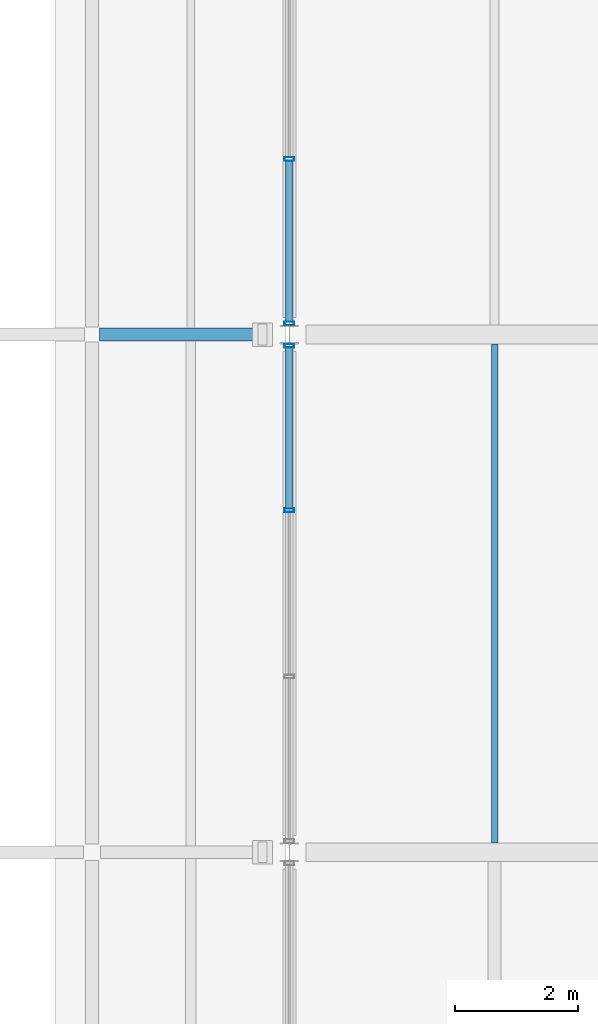
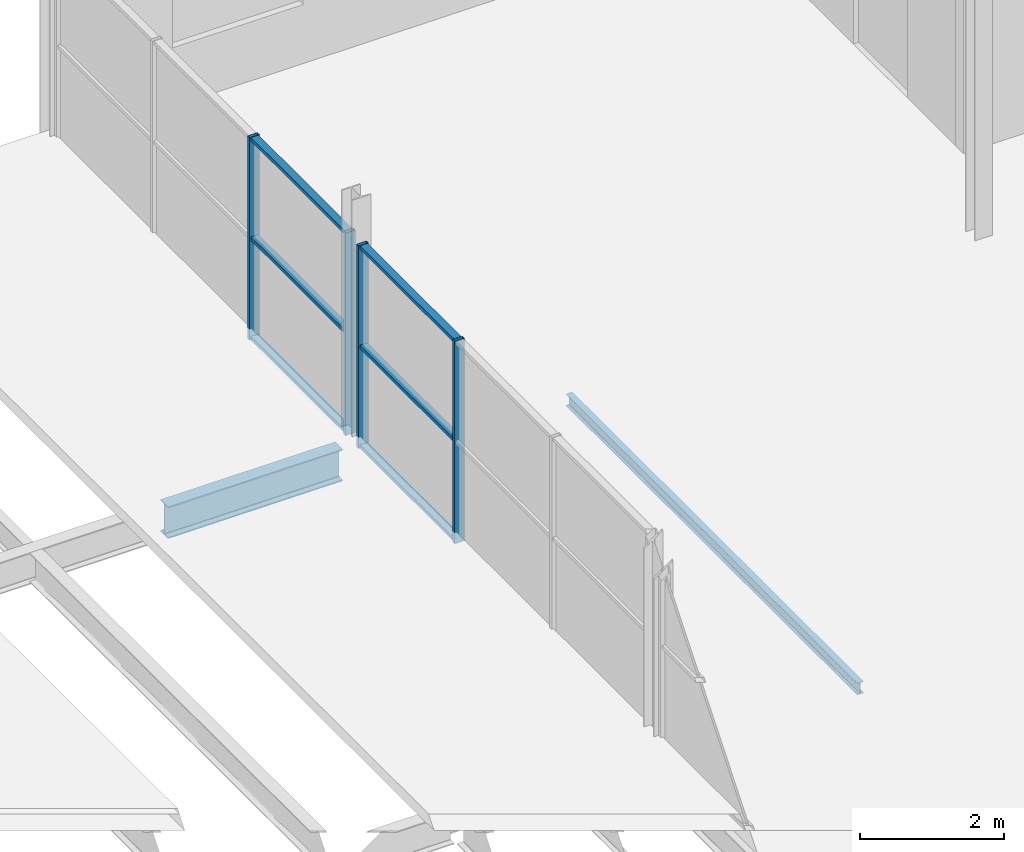
# One storey, part 113 of 161: 10 members, 2 beams, 2 elements without a shape of their own.
"""IFC4 building model written with IfcOpenShell, lengths in metres."""

from ifc_helpers import new_model, si_unit, direction, frame, origin, origin_2d, place, context, subcontext, project, spatial, hollow_rectangle, i_section, extrude, material, material_profile, profile_set, type_object, element, aggregate, save


model = new_model("IFC4")

# Units and contexts
model_context = context("Model", 3, precision=1e-05, world=origin(), true_north=direction((0.0, 1.0)))
body_context = subcontext(model_context, "Body", "Model", "MODEL_VIEW")
ifc_project = project(units=[si_unit("LENGTHUNIT", "METRE"), si_unit("AREAUNIT", "SQUARE_METRE"), si_unit("VOLUMEUNIT", "CUBIC_METRE"), si_unit("PLANEANGLEUNIT", "RADIAN"), si_unit("MASSUNIT", "GRAM", prefix="KILO"), si_unit("THERMODYNAMICTEMPERATUREUNIT", "KELVIN")], contexts=[model_context])

# Site, building, storey
site_placement = place(None, origin())
site = spatial("IfcSite", under=ifc_project, at=site_placement, CompositionType="ELEMENT")
building_placement = place(site_placement, origin())
building = spatial("IfcBuilding", under=site, at=building_placement, Name="Nduvali Passage Aquatics Centre", CompositionType="ELEMENT")
storey_placement = place(building_placement, frame((0.0, 0.0, 4.800048828125)))
storey = spatial("IfcBuildingStorey", under=building, at=storey_placement, Name="L01", CompositionType="ELEMENT", Elevation=4.800048828125)

# Curtain wall, members
ifc_material_1 = material(Name="Aluminium EN AW-6063 T6", Category="aluminium")
curtain_wall_type = type_object("IfcCurtainWallType", Name="ENV-CW-FOYR", PredefinedType="NOTDEFINED", material=ifc_material_1)
curtain_wall_1_placement = place(storey_placement, origin())
curtain_wall_1 = element("IfcCurtainWall", 1, at=curtain_wall_1_placement, inside=storey, type_object=curtain_wall_type, Name="L01 Passage Foyer Upper CW 078", PredefinedType="NOTDEFINED")
ifc_material_profile_1 = material_profile(ifc_material_1, hollow_rectangle(XDim=0.06005859375, YDim=0.159912109375, WallThickness=0.00390625, at=origin_2d()), Name="ALU MULLION 60x160x4")
ifc_profile_set_1 = profile_set([ifc_material_profile_1], Name="Aluminium EN AW-6063 T6")
member_type_1 = type_object("IfcMemberType", Name="ENV-MEM-MUL60", PredefinedType="MULLION", material=ifc_profile_set_1)
member_1_placement = place(storey_placement, frame((138.0, 81.14990234375, 0.0), z_axis=(0.0, 0.0, 1.0), x_axis=(0.0, 1.0, 0.0)))
member_1 = element("IfcMember", 2, at=member_1_placement, type_object=member_type_1, Name="Passage Foyer Upper CW Mullion 3", PredefinedType="MULLION", context=body_context, shape_type="SweptSolid", body=[
    extrude(hollow_rectangle(XDim=0.06005859375, YDim=0.159912109375, WallThickness=0.00390625, at=origin_2d()), origin(), (0.0, 0.0, 1.0), 3.436279296875),
])
member_2_placement = place(storey_placement, frame((138.0, 83.820068359375, 0.0), z_axis=(0.0, 0.0, 1.0), x_axis=(0.0, 1.0, 0.0)))
member_2 = element("IfcMember", 3, at=member_2_placement, type_object=member_type_1, Name="Passage Foyer Upper CW Mullion 4", PredefinedType="MULLION", context=body_context, shape_type="SweptSolid", body=[
    extrude(hollow_rectangle(XDim=0.06005859375, YDim=0.159912109375, WallThickness=0.00390625, at=origin_2d()), origin(), (0.0, 0.0, 1.0), 3.436279296875),
])

curtain_wall_2_placement = place(storey_placement, origin())
curtain_wall_2 = element("IfcCurtainWall", 4, at=curtain_wall_2_placement, inside=storey, type_object=curtain_wall_type, Name="L01 Passage Foyer End Upper CW 079", PredefinedType="NOTDEFINED")
member_3_placement = place(storey_placement, frame((138.0, 84.179931640625, 0.0), z_axis=(0.0, 0.0, 1.0), x_axis=(0.0, 1.0, 0.0)))
member_3 = element("IfcMember", 5, at=member_3_placement, type_object=member_type_1, Name="Passage Foyer End Upper CW Mullion 1", PredefinedType="MULLION", context=body_context, shape_type="SweptSolid", body=[
    extrude(hollow_rectangle(XDim=0.06005859375, YDim=0.159912109375, WallThickness=0.00390625, at=origin_2d()), origin(), (0.0, 0.0, 1.0), 3.436279296875),
])
member_4_placement = place(storey_placement, frame((138.0, 86.85009765625, 0.0), z_axis=(0.0, 0.0, 1.0), x_axis=(0.0, 1.0, 0.0)))
member_4 = element("IfcMember", 6, at=member_4_placement, type_object=member_type_1, Name="Passage Foyer End Upper CW Mullion 2", PredefinedType="MULLION", context=body_context, shape_type="SweptSolid", body=[
    extrude(hollow_rectangle(XDim=0.06005859375, YDim=0.159912109375, WallThickness=0.00390625, at=origin_2d()), origin(), (0.0, 0.0, 1.0), 3.436279296875),
])

# Member
ifc_material_profile_2 = material_profile(ifc_material_1, hollow_rectangle(XDim=0.1201171875, YDim=0.06005859375, WallThickness=0.00390625, at=origin_2d()), Name="ALU TRANSOM 120x60x4")
ifc_profile_set_2 = profile_set([ifc_material_profile_2], Name="Aluminium EN AW-6063 T6")
member_type_2 = type_object("IfcMemberType", Name="ENV-MEM-TRN60", PredefinedType="USERDEFINED", material=ifc_profile_set_2)
member_5_placement = place(storey_placement, frame((138.0, 81.179931640625, 0.030029296875), z_axis=(0.0, 1.0, 0.0), x_axis=(-1.0, 0.0, 0.0)))
member_5 = element("IfcMember", 7, at=member_5_placement, type_object=member_type_2, Name="Passage Foyer Upper CW Transom B3-R0", ObjectType="TRANSOM", PredefinedType="USERDEFINED", context=body_context, shape_type="SweptSolid", body=[
    extrude(hollow_rectangle(XDim=0.1201171875, YDim=0.06005859375, WallThickness=0.00390625, at=origin_2d()), origin(), (0.0, 0.0, 1.0), 2.610107421875),
])

member_6_placement = place(storey_placement, frame((138.0, 81.179931640625, 1.71826171875), z_axis=(0.0, 1.0, 0.0), x_axis=(-1.0, 0.0, 0.0)))
member_6 = element("IfcMember", 8, at=member_6_placement, type_object=member_type_2, Name="Passage Foyer Upper CW Transom B3-R1", ObjectType="TRANSOM", PredefinedType="USERDEFINED", context=body_context, shape_type="SweptSolid", body=[
    extrude(hollow_rectangle(XDim=0.1201171875, YDim=0.06005859375, WallThickness=0.00390625, at=origin_2d()), origin(), (0.0, 0.0, 1.0), 2.610107421875),
])

member_7_placement = place(storey_placement, frame((138.0, 81.179931640625, 3.40625), z_axis=(0.0, 1.0, 0.0), x_axis=(-1.0, 0.0, 0.0)))
member_7 = element("IfcMember", 9, at=member_7_placement, type_object=member_type_2, Name="Passage Foyer Upper CW Transom B3-R2", ObjectType="TRANSOM", PredefinedType="USERDEFINED", context=body_context, shape_type="SweptSolid", body=[
    extrude(hollow_rectangle(XDim=0.1201171875, YDim=0.06005859375, WallThickness=0.00390625, at=origin_2d()), origin(), (0.0, 0.0, 1.0), 2.610107421875),
])

aggregate(curtain_wall_1, [member_1, member_2, member_5, member_6, member_7])

member_8_placement = place(storey_placement, frame((138.0, 84.2099609375, 0.030029296875), z_axis=(0.0, 1.0, 0.0), x_axis=(-1.0, 0.0, 0.0)))
member_8 = element("IfcMember", 10, at=member_8_placement, type_object=member_type_2, Name="Passage Foyer End Upper CW Transom B1-R0", ObjectType="TRANSOM", PredefinedType="USERDEFINED", context=body_context, shape_type="SweptSolid", body=[
    extrude(hollow_rectangle(XDim=0.1201171875, YDim=0.06005859375, WallThickness=0.00390625, at=origin_2d()), origin(), (0.0, 0.0, 1.0), 2.610107421875),
])

member_9_placement = place(storey_placement, frame((138.0, 84.2099609375, 1.71826171875), z_axis=(0.0, 1.0, 0.0), x_axis=(-1.0, 0.0, 0.0)))
member_9 = element("IfcMember", 11, at=member_9_placement, type_object=member_type_2, Name="Passage Foyer End Upper CW Transom B1-R1", ObjectType="TRANSOM", PredefinedType="USERDEFINED", context=body_context, shape_type="SweptSolid", body=[
    extrude(hollow_rectangle(XDim=0.1201171875, YDim=0.06005859375, WallThickness=0.00390625, at=origin_2d()), origin(), (0.0, 0.0, 1.0), 2.610107421875),
])

member_10_placement = place(storey_placement, frame((138.0, 84.2099609375, 3.40625), z_axis=(0.0, 1.0, 0.0), x_axis=(-1.0, 0.0, 0.0)))
member_10 = element("IfcMember", 12, at=member_10_placement, type_object=member_type_2, Name="Passage Foyer End Upper CW Transom B1-R2", ObjectType="TRANSOM", PredefinedType="USERDEFINED", context=body_context, shape_type="SweptSolid", body=[
    extrude(hollow_rectangle(XDim=0.1201171875, YDim=0.06005859375, WallThickness=0.00390625, at=origin_2d()), origin(), (0.0, 0.0, 1.0), 2.610107421875),
])

aggregate(curtain_wall_2, [member_3, member_4, member_8, member_9, member_10])

# Beams
ifc_material_2 = material(Name="Steel S355", Category="steel")
ifc_material_profile_3 = material_profile(ifc_material_2, i_section(OverallWidth=0.210693359375, OverallDepth=0.53955078125, WebThickness=0.01171875, FlangeThickness=0.018798828125, FilletRadius=0.0126953125, at=origin_2d()), Name="UKB 533x210x109")
ifc_profile_set_3 = profile_set([ifc_material_profile_3], Name="Steel S355")
beam_type_1 = type_object("IfcBeamType", Name="STR-BM-UKB533", PredefinedType="BEAM", material=ifc_profile_set_3)
beam_1_placement = place(storey_placement, frame((134.922119140625, 84.0, -0.273681640625), z_axis=(1.0, 0.0, 0.0), x_axis=(0.0, 1.0, 0.0)))
element("IfcBeam", 13, at=beam_1_placement, inside=storey, type_object=beam_type_1, Name="L01 Primary X-Girder B6-0520", PredefinedType="BEAM", context=body_context, shape_type="SweptSolid", body=[
    extrude(i_section(OverallWidth=0.210693359375, OverallDepth=0.53955078125, WebThickness=0.01171875, FlangeThickness=0.018798828125, FilletRadius=0.0126953125, at=origin_2d()), origin(), (0.0, 0.0, 1.0), 2.802978515625),
])
ifc_material_profile_4 = material_profile(ifc_material_2, i_section(OverallWidth=0.10009765625, OverallDepth=0.199951171875, WebThickness=0.005615234375, FlangeThickness=0.008544921875, FilletRadius=0.011962890625, at=origin_2d()), Name="IPE 200")
ifc_profile_set_4 = profile_set([ifc_material_profile_4], Name="Steel S355")
beam_type_2 = type_object("IfcBeamType", Name="STR-JST-IPE200", PredefinedType="JOIST", material=ifc_profile_set_4)
beam_2_placement = place(storey_placement, frame((141.333251953125, 75.75244140625, -0.384033203125), z_axis=(0.0, 1.0, 0.0), x_axis=(-1.0, 0.0, 0.0)))
element("IfcBeam", 14, at=beam_2_placement, inside=storey, type_object=beam_type_2, Name="L01 Secondary Joist J9A-0791", PredefinedType="JOIST", context=body_context, shape_type="SweptSolid", body=[
    extrude(i_section(OverallWidth=0.10009765625, OverallDepth=0.199951171875, WebThickness=0.005615234375, FlangeThickness=0.008544921875, FilletRadius=0.011962890625, at=origin_2d()), origin(), (0.0, 0.0, 1.0), 8.09521484375),
])

save(model, "model.ifc")
